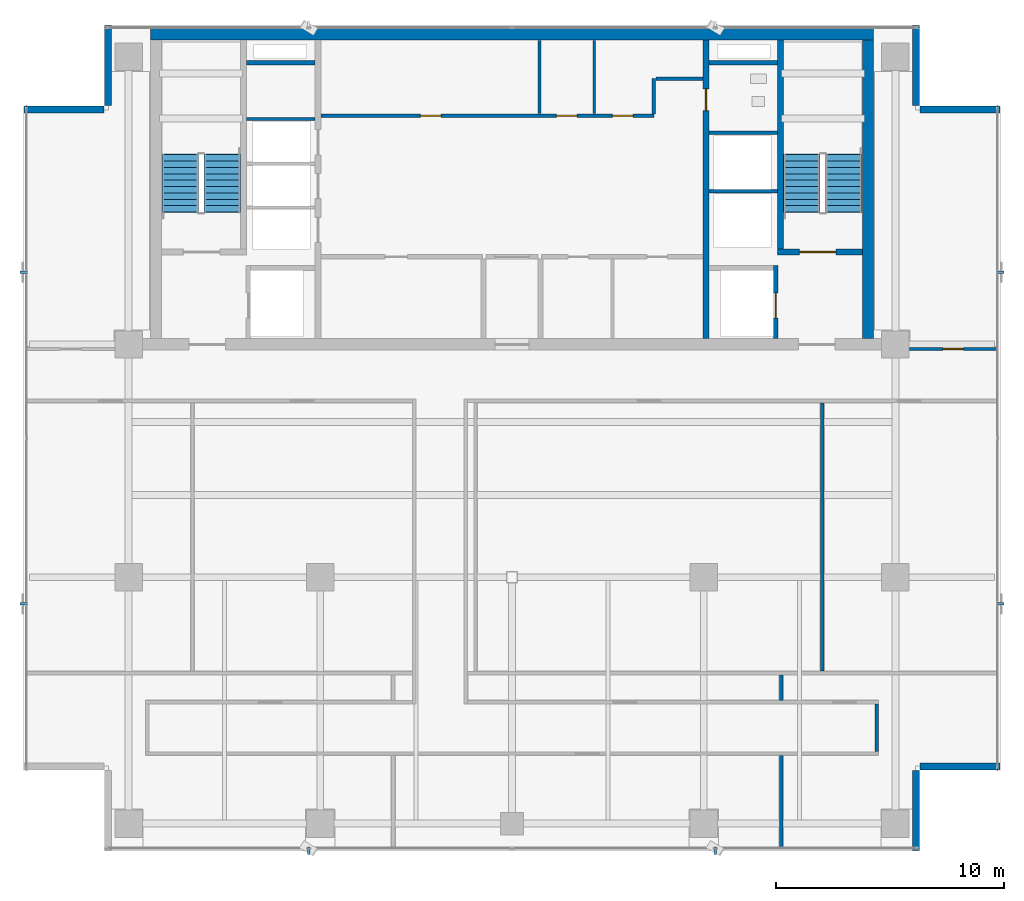
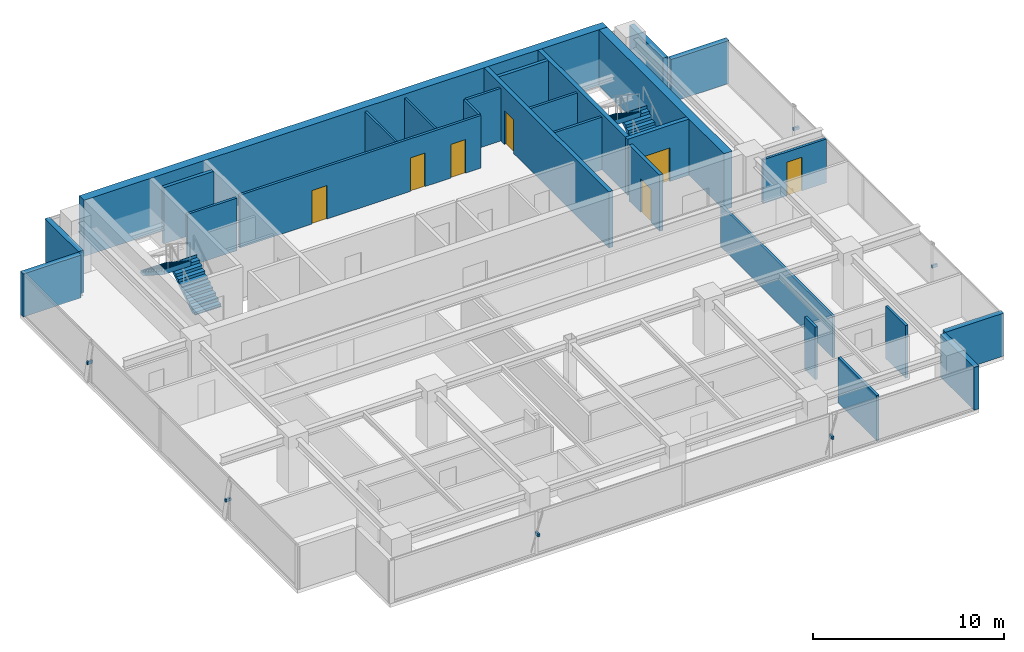
# One storey, part 16 of 22: 27 walls, 7 doors, 6 discrete accessories, 4 stair flights, 7 openings, 2 elements without a shape of their own.
"""IFC4 building model written with IfcOpenShell, lengths in metres."""

from ifc_helpers import new_model, si_unit, direction, frame, frame_2d, origin, origin_2d, place, context, subcontext, project, spatial, polyline, rectangle, outline, extrude, source, transform, mapped, material, layer, layer_set, material_profile, profile_set, type_object, element, fill, aggregate, save


model = new_model("IFC4")

# Units and contexts
model_context = context("Model", 3, precision=1e-05, world=origin(), true_north=direction((0.0, 1.0)))
body_context = subcontext(model_context, "Body", "Model", "MODEL_VIEW")
ifc_project = project(units=[si_unit("LENGTHUNIT", "METRE"), si_unit("AREAUNIT", "SQUARE_METRE"), si_unit("VOLUMEUNIT", "CUBIC_METRE"), si_unit("PLANEANGLEUNIT", "RADIAN"), si_unit("MASSUNIT", "GRAM", prefix="KILO")], contexts=[model_context])

# Site, building, storey
site_placement = place(None, origin())
site = spatial("IfcSite", under=ifc_project, at=site_placement, CompositionType="ELEMENT")
building_placement = place(site_placement, origin())
building = spatial("IfcBuilding", under=site, at=building_placement, Name="Sumidabori Civic Tower", CompositionType="ELEMENT")
storey_placement = place(building_placement, frame((0.0, 0.0, 279.199951171875)))
storey = spatial("IfcBuildingStorey", under=building, at=storey_placement, Name="L73", CompositionType="ELEMENT", Elevation=279.199951171875)

# Walls
ifc_material_1 = material(Name="Concrete C50/60", Category="concrete")
ifc_layer_1 = layer(ifc_material_1, 0.199951171875, Name="Concrete C50/60")
ifc_layer_set_1 = layer_set([ifc_layer_1], Name="Concrete C50/60")
wall_type_1 = type_object("IfcWallType", Name="WL-SHAFT-200", PredefinedType="SHEAR", material=ifc_layer_set_1)
shared_shape_1 = source(origin(), body_context, "Body", "SweptSolid", [
    extrude(rectangle(XDim=3.02001953125, YDim=0.199951171875, at=frame_2d((1.510009765625, 0.0))), origin(), (0.0, 0.0, 1.0), 3.60009765625),
])
for number, where, z_axis, x_axis, name in (
    (1, (-11.64501953125, 22.550048828125, 0.0), (0.0, 0.0, 1.0), (1.0, 0.0, 0.0), "Core Shear Wall L73 RIS1-S"),
    (2, (8.625, 22.550048828125, 0.0), (0.0, 0.0, 1.0), (1.0, 0.0, 0.0), "Core Shear Wall L73 RIS2-S"),
):
    element("IfcWall", number, at=place(storey_placement, frame(where, z_axis=z_axis, x_axis=x_axis)), inside=storey, type_object=wall_type_1, Name=name, PredefinedType="SHEAR", context=body_context, shape_type="MappedRepresentation", body=[
        mapped(shared_shape_1, transform((0.0, 0.0, 0.0), x_axis=(1.0, 0.0, 0.0), y_axis=(0.0, 1.0, 0.0), z_axis=(0.0, 0.0, 1.0), scale=1.0)),
    ])
ifc_layer_2 = layer(ifc_material_1, 0.5, Name="Concrete C50/60")
ifc_layer_set_2 = layer_set([ifc_layer_2], Name="Concrete C50/60")
wall_type_2 = type_object("IfcWallType", Name="WL-CORE-500", PredefinedType="SHEAR", material=ifc_layer_set_2)
shared_shape_2 = source(origin(), body_context, "Body", "SweptSolid", [
    extrude(rectangle(XDim=31.7001953125, YDim=0.5, at=frame_2d((15.85009765625, 0.0))), origin(), (0.0, 0.0, 1.0), 3.60009765625),
])
wall_1_placement = place(storey_placement, frame((-15.85009765625, 23.800048828125, 0.0), z_axis=(0.0, 0.0, 1.0), x_axis=(1.0, 0.0, 0.0)))
element("IfcWall", 3, at=wall_1_placement, inside=storey, type_object=wall_type_2, Name="Core Shear Wall L73 N", PredefinedType="SHEAR", context=body_context, shape_type="MappedRepresentation", body=[
    mapped(shared_shape_2, transform((0.0, 0.0, 0.0), x_axis=(1.0, 0.0, 0.0), y_axis=(0.0, 1.0, 0.0), z_axis=(0.0, 0.0, 1.0), scale=1.0)),
])
shared_shape_3 = source(origin(), body_context, "Body", "SweptSolid", [
    extrude(rectangle(XDim=13.10009765625, YDim=0.5, at=frame_2d((6.550048828125, 0.0))), origin(), (0.0, 0.0, 1.0), 3.60009765625),
])
wall_2_placement = place(storey_placement, frame((15.60009765625, 10.449951171875, 0.0), z_axis=(0.0, 0.0, 1.0), x_axis=(0.0, 1.0, 0.0)))
element("IfcWall", 4, at=wall_2_placement, inside=storey, type_object=wall_type_2, Name="Core Shear Wall L73 E", PredefinedType="SHEAR", context=body_context, shape_type="MappedRepresentation", body=[
    mapped(shared_shape_3, transform((0.0, 0.0, 0.0), x_axis=(1.0, 0.0, 0.0), y_axis=(0.0, 1.0, 0.0), z_axis=(0.0, 0.0, 1.0), scale=1.0)),
])

# Wall, opening, door
ifc_layer_3 = layer(ifc_material_1, 0.25, Name="Concrete C50/60")
ifc_layer_set_3 = layer_set([ifc_layer_3], Name="Concrete C50/60")
wall_type_3 = type_object("IfcWallType", Name="WL-SHAFT-250", PredefinedType="SHEAR", material=ifc_layer_set_3)
shared_shape_4 = source(origin(), body_context, "Body", "SweptSolid", [
    extrude(rectangle(XDim=13.10009765625, YDim=0.25, at=frame_2d((6.550048828125, 0.0))), origin(), (0.0, 0.0, 1.0), 3.60009765625),
])
wall_3_placement = place(storey_placement, frame((8.5, 10.449951171875, 0.0), z_axis=(0.0, 0.0, 1.0), x_axis=(0.0, 1.0, 0.0)))
wall_3 = element("IfcWall", 5, at=wall_3_placement, inside=storey, type_object=wall_type_3, Name="Core Shear Wall L73 WEB-E", PredefinedType="SHEAR", context=body_context, shape_type="MappedRepresentation", body=[
    mapped(shared_shape_4, transform((0.0, 0.0, 0.0), x_axis=(1.0, 0.0, 0.0), y_axis=(0.0, 1.0, 0.0), z_axis=(0.0, 0.0, 1.0), scale=1.0)),
])
opening_1_placement = place(wall_3_placement, frame((10.0, 0.0, 0.0)))
opening_1 = element("IfcOpeningElement", 6, at=opening_1_placement, cuts=wall_3, Name="Opening DR-2", PredefinedType="OPENING", context=body_context, shape_type="SweptSolid", body=[
    extrude(rectangle(XDim=0.949951171875, YDim=2.14990234375, at=frame_2d((0.47509765625, 1.074951171875))), frame((0.0, 0.136962890625, 0.0), z_axis=(0.0, -1.0, 0.0), x_axis=(1.0, 0.0, 0.0)), (0.0, 0.0, 1.0), 0.27392578125),
])
ifc_material_2 = material(Name="Japanese Hinoki Timber", Category="wood")
door_type_1 = type_object("IfcDoorType", Name="DR-INT-950", OperationType="NOTDEFINED", PredefinedType="DOOR", material=ifc_material_2)
shared_shape_5 = source(origin(), body_context, "Body", "SweptSolid", [
    extrude(rectangle(XDim=0.949951171875, YDim=2.14990234375, at=frame_2d((0.47509765625, 1.074951171875))), frame((0.0, 0.02490234375, 0.0), z_axis=(0.0, -1.0, 0.0), x_axis=(1.0, 0.0, 0.0)), (0.0, 0.0, 1.0), 0.050048828125),
])
door_1_placement = place(opening_1_placement, origin())
door_1 = element("IfcDoor", 7, at=door_1_placement, inside=storey, type_object=door_type_1, Name="Door DR:L73:WC-ACC", OperationType="SINGLE_SWING_RIGHT", OverallHeight=2.14990234375, OverallWidth=0.949951171875, PredefinedType="DOOR", context=body_context, shape_type="MappedRepresentation", body=[
    mapped(shared_shape_5, transform((0.0, 0.0, 0.0), x_axis=(1.0, 0.0, 0.0), y_axis=(0.0, 1.0, 0.0), z_axis=(0.0, 0.0, 1.0), scale=1.0)),
])
fill(opening_1, door_1)

shared_shape_6 = source(origin(), body_context, "Body", "SweptSolid", [
    extrude(rectangle(XDim=3.705078125, YDim=0.25, at=frame_2d((1.8525390625, 0.0))), origin(), (0.0, 0.0, 1.0), 3.60009765625),
])
wall_4_placement = place(storey_placement, frame((11.64501953125, 14.25, 0.0), z_axis=(0.0, 0.0, 1.0), x_axis=(1.0, 0.0, 0.0)))
wall_4 = element("IfcWall", 8, at=wall_4_placement, inside=storey, type_object=wall_type_3, Name="Core Shear Wall L73 ST2-S", PredefinedType="SHEAR", context=body_context, shape_type="MappedRepresentation", body=[
    mapped(shared_shape_6, transform((0.0, 0.0, 0.0), x_axis=(1.0, 0.0, 0.0), y_axis=(0.0, 1.0, 0.0), z_axis=(0.0, 0.0, 1.0), scale=1.0)),
])
opening_2_placement = place(wall_4_placement, frame((0.949951171875, 0.0, 0.0)))
opening_2 = element("IfcOpeningElement", 9, at=opening_2_placement, cuts=wall_4, Name="Opening DR-FD4", PredefinedType="OPENING", context=body_context, shape_type="SweptSolid", body=[
    extrude(rectangle(XDim=1.60009765625, YDim=2.14990234375, at=frame_2d((0.800048828125, 1.074951171875))), frame((0.0, 0.136962890625, 0.0), z_axis=(0.0, -1.0, 0.0), x_axis=(1.0, 0.0, 0.0)), (0.0, 0.0, 1.0), 0.27392578125),
])
ifc_material_3 = material(Name="Steel SN490", Category="steel")
door_type_2 = type_object("IfcDoorType", Name="DR-FD4", OperationType="DOUBLE_DOOR_SINGLE_SWING", PredefinedType="DOOR", material=ifc_material_3)
shared_shape_7 = source(origin(), body_context, "Body", "SweptSolid", [
    extrude(rectangle(XDim=1.60009765625, YDim=2.14990234375, at=frame_2d((0.800048828125, 1.074951171875))), frame((0.0, 0.02490234375, 0.0), z_axis=(0.0, -1.0, 0.0), x_axis=(1.0, 0.0, 0.0)), (0.0, 0.0, 1.0), 0.050048828125),
])
door_2_placement = place(opening_2_placement, origin())
door_2 = element("IfcDoor", 10, at=door_2_placement, inside=storey, type_object=door_type_2, Name="Door DR:L73:ST2", OperationType="DOUBLE_DOOR_SINGLE_SWING", OverallHeight=2.14990234375, OverallWidth=1.60009765625, PredefinedType="DOOR", context=body_context, shape_type="MappedRepresentation", body=[
    mapped(shared_shape_7, transform((0.0, 0.0, 0.0), x_axis=(1.0, 0.0, 0.0), y_axis=(0.0, 1.0, 0.0), z_axis=(0.0, 0.0, 1.0), scale=1.0)),
])
fill(opening_2, door_2)

# Wall
shared_shape_8 = source(origin(), body_context, "Body", "SweptSolid", [
    extrude(rectangle(XDim=9.175048828125, YDim=0.25, at=frame_2d((4.58740234375, 0.0))), origin(), (0.0, 0.0, 1.0), 3.60009765625),
])
wall_5_placement = place(storey_placement, frame((11.77001953125, 14.375, 0.0), z_axis=(0.0, 0.0, 1.0), x_axis=(0.0, 1.0, 0.0)))
element("IfcWall", 11, at=wall_5_placement, inside=storey, type_object=wall_type_3, Name="Core Shear Wall L73 ST2-W", PredefinedType="SHEAR", context=body_context, shape_type="MappedRepresentation", body=[
    mapped(shared_shape_8, transform((0.0, 0.0, 0.0), x_axis=(1.0, 0.0, 0.0), y_axis=(0.0, 1.0, 0.0), z_axis=(0.0, 0.0, 1.0), scale=1.0)),
])

# Wall, opening, door
shared_shape_9 = source(origin(), body_context, "Body", "SweptSolid", [
    extrude(rectangle(XDim=3.199951171875, YDim=0.199951171875, at=frame_2d((1.60009765625, 0.0))), origin(), (0.0, 0.0, 1.0), 3.60009765625),
])
wall_6_placement = place(storey_placement, frame((11.550048828125, 10.449951171875, 0.0), z_axis=(0.0, 0.0, 1.0), x_axis=(0.0, 1.0, 0.0)))
wall_6 = element("IfcWall", 12, at=wall_6_placement, inside=storey, type_object=wall_type_1, Name="Core Shear Wall L73 EL2-E", PredefinedType="SHEAR", context=body_context, shape_type="MappedRepresentation", body=[
    mapped(shared_shape_9, transform((0.0, 0.0, 0.0), x_axis=(1.0, 0.0, 0.0), y_axis=(0.0, 1.0, 0.0), z_axis=(0.0, 0.0, 1.0), scale=1.0)),
])
opening_3_placement = place(wall_6_placement, frame((0.89990234375, 0.0, 0.0)))
opening_3 = element("IfcOpeningElement", 13, at=opening_3_placement, cuts=wall_6, Name="Opening LD-2", PredefinedType="OPENING", context=body_context, shape_type="SweptSolid", body=[
    extrude(rectangle(XDim=1.10009765625, YDim=2.14990234375, at=frame_2d((0.550048828125, 1.074951171875))), frame((0.0, 0.11181640625, 0.0), z_axis=(0.0, -1.0, 0.0), x_axis=(1.0, 0.0, 0.0)), (0.0, 0.0, 1.0), 0.223876953125),
])
ifc_material_4 = material(Name="Stainless Steel Hairline Finish", Category="steel")
door_type_3 = type_object("IfcDoorType", Name="DR-LD2", OperationType="DOUBLE_DOOR_SLIDING", PredefinedType="DOOR", material=ifc_material_4)
shared_shape_10 = source(origin(), body_context, "Body", "SweptSolid", [
    extrude(rectangle(XDim=1.10009765625, YDim=2.14990234375, at=frame_2d((0.550048828125, 1.074951171875))), frame((0.0, 0.02490234375, 0.0), z_axis=(0.0, -1.0, 0.0), x_axis=(1.0, 0.0, 0.0)), (0.0, 0.0, 1.0), 0.050048828125),
])
door_3_placement = place(opening_3_placement, origin())
door_3 = element("IfcDoor", 14, at=door_3_placement, inside=storey, type_object=door_type_3, Name="Door DR:L73:LD-EL2", OperationType="DOUBLE_DOOR_SLIDING", OverallHeight=2.14990234375, OverallWidth=1.10009765625, PredefinedType="DOOR", context=body_context, shape_type="MappedRepresentation", body=[
    mapped(shared_shape_10, transform((0.0, 0.0, 0.0), x_axis=(1.0, 0.0, 0.0), y_axis=(0.0, 1.0, 0.0), z_axis=(0.0, 0.0, 1.0), scale=1.0)),
])
fill(opening_3, door_3)

# Walls
ifc_material_5 = material(Name="Precast concrete C40/50", Category="concrete")
ifc_layer_4 = layer(ifc_material_5, 0.300048828125, Name="Precast concrete C40/50")
ifc_layer_set_4 = layer_set([ifc_layer_4], Name="Precast concrete C40/50")
wall_type_4 = type_object("IfcWallType", Name="WL-EXT-POD300", PredefinedType="STANDARD", material=ifc_layer_set_4)
shared_shape_11 = source(origin(), body_context, "Body", "SweptSolid", [
    extrude(rectangle(XDim=3.510009765625, YDim=0.300048828125, at=frame_2d((1.7548828125, 0.0))), origin(), (0.0, 0.0, 1.0), 2.75),
])
for number, where, z_axis, x_axis, name in (
    (15, (17.699951171875, -11.97998046875, 0.0), (0.0, 0.0, 1.0), (0.0, 1.0, 0.0), "Notched Corner Spandrel Band L73-02"),
    (16, (17.699951171875, 20.669921875, 0.0), (0.0, 0.0, 1.0), (0.0, 1.0, 0.0), "Notched Corner Spandrel Band L73-06"),
    (17, (-17.699951171875, 24.179931640625, 0.0), (0.0, 0.0, 1.0), (0.0, -1.0, 0.0), "Notched Corner Spandrel Band L73-08"),
):
    element("IfcWall", number, at=place(storey_placement, frame(where, z_axis=z_axis, x_axis=x_axis)), inside=storey, type_object=wall_type_4, Name=name, PredefinedType="STANDARD", context=body_context, shape_type="MappedRepresentation", body=[
        mapped(shared_shape_11, transform((0.0, 0.0, 0.0), x_axis=(1.0, 0.0, 0.0), y_axis=(0.0, 1.0, 0.0), z_axis=(0.0, 0.0, 1.0), scale=1.0)),
    ])
shared_shape_12 = source(origin(), body_context, "Body", "SweptSolid", [
    extrude(rectangle(XDim=3.509765625, YDim=0.300048828125, at=frame_2d((1.7548828125, 0.0))), origin(), (0.0, 0.0, 1.0), 2.75),
])
for number, where, z_axis, x_axis, name in (
    (18, (17.8701171875, -8.300048828125, 0.0), (0.0, 0.0, 1.0), (1.0, 0.0, 0.0), "Notched Corner Spandrel Band L73-03"),
    (19, (21.3798828125, 20.5, 0.0), (0.0, 0.0, 1.0), (-1.0, 0.0, 0.0), "Notched Corner Spandrel Band L73-05"),
    (20, (-17.8701171875, 20.5, 0.0), (0.0, 0.0, 1.0), (-1.0, 0.0, 0.0), "Notched Corner Spandrel Band L73-09"),
):
    element("IfcWall", number, at=place(storey_placement, frame(where, z_axis=z_axis, x_axis=x_axis)), inside=storey, type_object=wall_type_4, Name=name, PredefinedType="STANDARD", context=body_context, shape_type="MappedRepresentation", body=[
        mapped(shared_shape_12, transform((0.0, 0.0, 0.0), x_axis=(1.0, 0.0, 0.0), y_axis=(0.0, 1.0, 0.0), z_axis=(0.0, 0.0, 1.0), scale=1.0)),
    ])
ifc_material_6 = material(Name="Gypsum Plasterboard Acoustic Partition")
ifc_layer_5 = layer(ifc_material_6, 0.14990234375, Name="Gypsum Plasterboard Acoustic Partition")
ifc_layer_set_5 = layer_set([ifc_layer_5], Name="Gypsum Plasterboard Acoustic Partition")
wall_type_5 = type_object("IfcWallType", Name="WL-PART-150", PredefinedType="PARTITIONING", material=ifc_layer_set_5)
shared_shape_13 = source(origin(), body_context, "Body", "SweptSolid", [
    extrude(rectangle(XDim=3.010009765625, YDim=0.14990234375, at=frame_2d((1.5048828125, 0.0))), origin(), (0.0, 0.0, 1.0), 3.3701171875),
])
for number, where, z_axis, x_axis, name in (
    (21, (-11.639892578125, 20.080078125, 0.0), (0.0, 0.0, 1.0), (1.0, 0.0, 0.0), "Interior Partition WL:L73:DIV-PLH3"),
    (22, (8.6298828125, 16.919921875, 0.0), (0.0, 0.0, 1.0), (1.0, 0.0, 0.0), "Interior Partition WL:L73:DIV-OBS1"),
    (23, (8.6298828125, 19.469970703125, 0.0), (0.0, 0.0, 1.0), (1.0, 0.0, 0.0), "Interior Partition WL:L73:DIV-OBS2"),
):
    element("IfcWall", number, at=place(storey_placement, frame(where, z_axis=z_axis, x_axis=x_axis)), inside=storey, type_object=wall_type_5, Name=name, PredefinedType="PARTITIONING", context=body_context, shape_type="MappedRepresentation", body=[
        mapped(shared_shape_13, transform((0.0, 0.0, 0.0), x_axis=(1.0, 0.0, 0.0), y_axis=(0.0, 1.0, 0.0), z_axis=(0.0, 0.0, 1.0), scale=1.0)),
    ])

# Wall, openings, doors
shared_shape_14 = source(origin(), body_context, "Body", "SweptSolid", [
    extrude(rectangle(XDim=14.590087890625, YDim=0.14990234375, at=frame_2d((7.294921875, 0.0))), origin(), (0.0, 0.0, 1.0), 3.3701171875),
])
wall_7_placement = place(storey_placement, frame((-8.3701171875, 20.219970703125, 0.0), z_axis=(0.0, 0.0, 1.0), x_axis=(1.0, 0.0, 0.0)))
wall_7 = element("IfcWall", 24, at=wall_7_placement, inside=storey, type_object=wall_type_5, Name="Interior Partition WL:L73:CBAND-M", PredefinedType="PARTITIONING", context=body_context, shape_type="MappedRepresentation", body=[
    mapped(shared_shape_14, transform((0.0, 0.0, 0.0), x_axis=(1.0, 0.0, 0.0), y_axis=(0.0, 1.0, 0.0), z_axis=(0.0, 0.0, 1.0), scale=1.0)),
])
opening_4_placement = place(wall_7_placement, frame((4.360107421875, 0.0, 0.0)))
opening_4 = element("IfcOpeningElement", 25, at=opening_4_placement, cuts=wall_7, Name="Opening DR-1", PredefinedType="OPENING", context=body_context, shape_type="SweptSolid", body=[
    extrude(rectangle(XDim=0.89990234375, YDim=2.14990234375, at=frame_2d((0.449951171875, 1.074951171875))), frame((0.0, 0.0869140625, 0.0), z_axis=(0.0, -1.0, 0.0), x_axis=(1.0, 0.0, 0.0)), (0.0, 0.0, 1.0), 0.173828125),
])
opening_5_placement = place(wall_7_placement, frame((10.320068359375, 0.0, 0.0)))
opening_5 = element("IfcOpeningElement", 26, at=opening_5_placement, cuts=wall_7, Name="Opening DR-1", PredefinedType="OPENING", context=body_context, shape_type="SweptSolid", body=[
    extrude(rectangle(XDim=0.89990234375, YDim=2.14990234375, at=frame_2d((0.449951171875, 1.074951171875))), frame((0.0, 0.0869140625, 0.0), z_axis=(0.0, -1.0, 0.0), x_axis=(1.0, 0.0, 0.0)), (0.0, 0.0, 1.0), 0.173828125),
])
opening_6_placement = place(wall_7_placement, frame((12.77001953125, 0.0, 0.0)))
opening_6 = element("IfcOpeningElement", 27, at=opening_6_placement, cuts=wall_7, Name="Opening DR-1", PredefinedType="OPENING", context=body_context, shape_type="SweptSolid", body=[
    extrude(rectangle(XDim=0.89990234375, YDim=2.14990234375, at=frame_2d((0.449951171875, 1.074951171875))), frame((0.0, 0.0869140625, 0.0), z_axis=(0.0, -1.0, 0.0), x_axis=(1.0, 0.0, 0.0)), (0.0, 0.0, 1.0), 0.173828125),
])
door_type_4 = type_object("IfcDoorType", Name="DR-INT-900", OperationType="NOTDEFINED", PredefinedType="DOOR", material=ifc_material_2)
shared_shape_15 = source(origin(), body_context, "Body", "SweptSolid", [
    extrude(rectangle(XDim=0.89990234375, YDim=2.14990234375, at=frame_2d((0.449951171875, 1.074951171875))), frame((0.0, 0.02490234375, 0.0), z_axis=(0.0, -1.0, 0.0), x_axis=(1.0, 0.0, 0.0)), (0.0, 0.0, 1.0), 0.050048828125),
])
door_4_placement = place(opening_4_placement, origin())
door_4 = element("IfcDoor", 28, at=door_4_placement, inside=storey, type_object=door_type_4, Name="Door DR:L73:CB-1", OperationType="SINGLE_SWING_LEFT", OverallHeight=2.14990234375, OverallWidth=0.89990234375, PredefinedType="DOOR", context=body_context, shape_type="MappedRepresentation", body=[
    mapped(shared_shape_15, transform((0.0, 0.0, 0.0), x_axis=(1.0, 0.0, 0.0), y_axis=(0.0, 1.0, 0.0), z_axis=(0.0, 0.0, 1.0), scale=1.0)),
])
fill(opening_4, door_4)
door_5_placement = place(opening_5_placement, origin())
door_5 = element("IfcDoor", 29, at=door_5_placement, inside=storey, type_object=door_type_4, Name="Door DR:L73:CB-2", OperationType="SINGLE_SWING_RIGHT", OverallHeight=2.14990234375, OverallWidth=0.89990234375, PredefinedType="DOOR", context=body_context, shape_type="MappedRepresentation", body=[
    mapped(shared_shape_15, transform((0.0, 0.0, 0.0), x_axis=(1.0, 0.0, 0.0), y_axis=(0.0, 1.0, 0.0), z_axis=(0.0, 0.0, 1.0), scale=1.0)),
])
fill(opening_5, door_5)
door_6_placement = place(opening_6_placement, origin())
door_6 = element("IfcDoor", 30, at=door_6_placement, inside=storey, type_object=door_type_4, Name="Door DR:L73:CB-3", OperationType="SINGLE_SWING_LEFT", OverallHeight=2.14990234375, OverallWidth=0.89990234375, PredefinedType="DOOR", context=body_context, shape_type="MappedRepresentation", body=[
    mapped(shared_shape_15, transform((0.0, 0.0, 0.0), x_axis=(1.0, 0.0, 0.0), y_axis=(0.0, 1.0, 0.0), z_axis=(0.0, 0.0, 1.0), scale=1.0)),
])
fill(opening_6, door_6)

# Walls
shared_shape_16 = source(origin(), body_context, "Body", "SweptSolid", [
    extrude(rectangle(XDim=1.550048828125, YDim=0.14990234375, at=frame_2d((0.77490234375, 0.0))), origin(), (0.0, 0.0, 1.0), 3.3701171875),
])
wall_8_placement = place(storey_placement, frame((6.219970703125, 20.300048828125, 0.0), z_axis=(0.0, 0.0, 1.0), x_axis=(0.0, 1.0, 0.0)))
element("IfcWall", 31, at=wall_8_placement, inside=storey, type_object=wall_type_5, Name="Interior Partition WL:L73:CBAND-ME1", PredefinedType="PARTITIONING", context=body_context, shape_type="MappedRepresentation", body=[
    mapped(shared_shape_16, transform((0.0, 0.0, 0.0), x_axis=(1.0, 0.0, 0.0), y_axis=(0.0, 1.0, 0.0), z_axis=(0.0, 0.0, 1.0), scale=1.0)),
])
shared_shape_17 = source(origin(), body_context, "Body", "SweptSolid", [
    extrude(rectangle(XDim=2.070068359375, YDim=0.14990234375, at=frame_2d((1.03515625, 0.0))), origin(), (0.0, 0.0, 1.0), 3.3701171875),
])
wall_9_placement = place(storey_placement, frame((6.300048828125, 21.85009765625, 0.0), z_axis=(0.0, 0.0, 1.0), x_axis=(1.0, 0.0, 0.0)))
element("IfcWall", 32, at=wall_9_placement, inside=storey, type_object=wall_type_5, Name="Interior Partition WL:L73:CBAND-ME2", PredefinedType="PARTITIONING", context=body_context, shape_type="MappedRepresentation", body=[
    mapped(shared_shape_17, transform((0.0, 0.0, 0.0), x_axis=(1.0, 0.0, 0.0), y_axis=(0.0, 1.0, 0.0), z_axis=(0.0, 0.0, 1.0), scale=1.0)),
])
ifc_layer_6 = layer(ifc_material_6, 0.1201171875, Name="Gypsum Plasterboard Acoustic Partition")
ifc_layer_set_6 = layer_set([ifc_layer_6], Name="Gypsum Plasterboard Acoustic Partition")
wall_type_6 = type_object("IfcWallType", Name="WL-PART-120", PredefinedType="PARTITIONING", material=ifc_layer_set_6)
shared_shape_18 = source(origin(), body_context, "Body", "SweptSolid", [
    extrude(rectangle(XDim=3.18994140625, YDim=0.1201171875, at=frame_2d((1.594970703125, 0.0))), origin(), (0.0, 0.0, 1.0), 3.3701171875),
])
for number, where, z_axis, x_axis, name in (
    (33, (1.199951171875, 20.320068359375, 0.0), (0.0, 0.0, 1.0), (0.0, 1.0, 0.0), "Interior Partition WL:L73:LV8-S1"),
    (34, (3.60009765625, 20.320068359375, 0.0), (0.0, 0.0, 1.0), (0.0, 1.0, 0.0), "Interior Partition WL:L73:LV8-S2"),
):
    element("IfcWall", number, at=place(storey_placement, frame(where, z_axis=z_axis, x_axis=x_axis)), inside=storey, type_object=wall_type_6, Name=name, PredefinedType="PARTITIONING", context=body_context, shape_type="MappedRepresentation", body=[
        mapped(shared_shape_18, transform((0.0, 0.0, 0.0), x_axis=(1.0, 0.0, 0.0), y_axis=(0.0, 1.0, 0.0), z_axis=(0.0, 0.0, 1.0), scale=1.0)),
    ])

# Wall, opening, door
shared_shape_19 = source(origin(), body_context, "Body", "SweptSolid", [
    extrude(rectangle(XDim=3.840087890625, YDim=0.14990234375, at=frame_2d((1.919921875, 0.0))), origin(), (0.0, 0.0, 1.0), 2.804931640625),
])
wall_10_placement = place(storey_placement, frame((17.409912109375, 10.0, 0.0), z_axis=(0.0, 0.0, 1.0), x_axis=(1.0, 0.0, 0.0)))
wall_10 = element("IfcWall", 35, at=wall_10_placement, inside=storey, type_object=wall_type_5, Name="Interior Partition WL:L73:FLK-NE", PredefinedType="PARTITIONING", context=body_context, shape_type="MappedRepresentation", body=[
    mapped(shared_shape_19, transform((0.0, 0.0, 0.0), x_axis=(1.0, 0.0, 0.0), y_axis=(0.0, 1.0, 0.0), z_axis=(0.0, 0.0, 1.0), scale=1.0)),
])
opening_7_placement = place(wall_10_placement, frame((1.469970703125, 0.0, 0.0)))
opening_7 = element("IfcOpeningElement", 36, at=opening_7_placement, cuts=wall_10, Name="Opening DR-1", PredefinedType="OPENING", context=body_context, shape_type="SweptSolid", body=[
    extrude(rectangle(XDim=0.89990234375, YDim=2.14990234375, at=frame_2d((0.449951171875, 1.074951171875))), frame((0.0, 0.0869140625, 0.0), z_axis=(0.0, -1.0, 0.0), x_axis=(1.0, 0.0, 0.0)), (0.0, 0.0, 1.0), 0.173828125),
])
door_7_placement = place(opening_7_placement, origin())
door_7 = element("IfcDoor", 37, at=door_7_placement, inside=storey, type_object=door_type_4, Name="Door DR:L73:FLK-NE", OperationType="SINGLE_SWING_RIGHT", OverallHeight=2.14990234375, OverallWidth=0.89990234375, PredefinedType="DOOR", context=body_context, shape_type="MappedRepresentation", body=[
    mapped(shared_shape_15, transform((0.0, 0.0, 0.0), x_axis=(1.0, 0.0, 0.0), y_axis=(0.0, 1.0, 0.0), z_axis=(0.0, 0.0, 1.0), scale=1.0)),
])
fill(opening_7, door_7)

# Walls
shared_shape_20 = source(origin(), body_context, "Body", "SweptSolid", [
    extrude(rectangle(XDim=2.090087890625, YDim=0.14990234375, at=frame_2d((1.044921875, 0.0))), origin(), (0.0, 0.0, 1.0), 3.3701171875),
])
wall_11_placement = place(storey_placement, frame((15.97509765625, -7.64501953125, 0.0), z_axis=(0.0, 0.0, 1.0), x_axis=(0.0, 1.0, 0.0)))
element("IfcWall", 38, at=wall_11_placement, inside=storey, type_object=wall_type_5, Name="Interior Partition WL:L73:CORR-VSE", PredefinedType="PARTITIONING", context=body_context, shape_type="MappedRepresentation", body=[
    mapped(shared_shape_20, transform((0.0, 0.0, 0.0), x_axis=(1.0, 0.0, 0.0), y_axis=(0.0, 1.0, 0.0), z_axis=(0.0, 0.0, 1.0), scale=1.0)),
])
shared_shape_21 = source(origin(), body_context, "Body", "SweptSolid", [
    extrude(rectangle(XDim=11.76513671875, YDim=0.14990234375, at=frame_2d((5.882568359375, 0.0))), origin(), (0.0, 0.0, 1.0), 2.655029296875),
])
wall_12_placement = place(storey_placement, frame((13.60009765625, -4.1201171875, 0.0), z_axis=(0.0, 0.0, 1.0), x_axis=(0.0, 1.0, 0.0)))
element("IfcWall", 39, at=wall_12_placement, inside=storey, type_object=wall_type_5, Name="Interior Partition WL:L73:VX-N3", PredefinedType="PARTITIONING", context=body_context, shape_type="MappedRepresentation", body=[
    mapped(shared_shape_21, transform((0.0, 0.0, 0.0), x_axis=(1.0, 0.0, 0.0), y_axis=(0.0, 1.0, 0.0), z_axis=(0.0, 0.0, 1.0), scale=1.0)),
])
shared_shape_22 = source(origin(), body_context, "Body", "SweptSolid", [
    extrude(rectangle(XDim=4.045166015625, YDim=0.14990234375, at=frame_2d((2.0224609375, 0.0))), origin(), (0.0, 0.0, 1.0), 2.905029296875),
])
wall_13_placement = place(storey_placement, frame((11.800048828125, -11.85009765625, 0.0), z_axis=(0.0, 0.0, 1.0), x_axis=(0.0, 1.0, 0.0)))
element("IfcWall", 40, at=wall_13_placement, inside=storey, type_object=wall_type_5, Name="Interior Partition WL:L73:VX-S2-1", PredefinedType="PARTITIONING", context=body_context, shape_type="MappedRepresentation", body=[
    mapped(shared_shape_22, transform((0.0, 0.0, 0.0), x_axis=(1.0, 0.0, 0.0), y_axis=(0.0, 1.0, 0.0), z_axis=(0.0, 0.0, 1.0), scale=1.0)),
])
shared_shape_23 = source(origin(), body_context, "Body", "SweptSolid", [
    extrude(rectangle(XDim=1.114990234375, YDim=0.14990234375, at=frame_2d((0.5576171875, 0.0))), origin(), (0.0, 0.0, 1.0), 3.3701171875),
])
wall_14_placement = place(storey_placement, frame((11.800048828125, -5.39501953125, 0.0), z_axis=(0.0, 0.0, 1.0), x_axis=(0.0, 1.0, 0.0)))
element("IfcWall", 41, at=wall_14_placement, inside=storey, type_object=wall_type_5, Name="Interior Partition WL:L73:VX-S2-2", PredefinedType="PARTITIONING", context=body_context, shape_type="MappedRepresentation", body=[
    mapped(shared_shape_23, transform((0.0, 0.0, 0.0), x_axis=(1.0, 0.0, 0.0), y_axis=(0.0, 1.0, 0.0), z_axis=(0.0, 0.0, 1.0), scale=1.0)),
])

# Stair, stair flights
ifc_material_7 = material(Name="Concrete C40/50", Category="concrete")
stair_type = type_object("IfcStairType", Name="ST-CORE-1600", PredefinedType="HALF_TURN_STAIR", material=ifc_material_7)
stair_1_placement = place(storey_placement, origin())
stair_1 = element("IfcStair", 42, at=stair_1_placement, inside=storey, type_object=stair_type, Name="L73 ST-1", PredefinedType="HALF_TURN_STAIR")
stair_flight_type = type_object("IfcStairFlightType", Name="SF-CORE-1600", PredefinedType="STRAIGHT", material=ifc_material_7)
shared_shape_24 = source(origin(), body_context, "Body", "SweptSolid", [
    extrude(outline(polyline([(-0.02490234375, 0.0), (-0.02490234375, 0.0400390625), (0.0, 0.0400390625), (0.0, 0.179931640625), (0.280029296875, 0.179931640625), (0.280029296875, 0.360107421875), (0.56005859375, 0.360107421875), (0.56005859375, 0.5400390625), (0.840087890625, 0.5400390625), (0.840087890625, 0.719970703125), (1.1201171875, 0.719970703125), (1.1201171875, 0.89990234375), (1.39990234375, 0.89990234375), (1.39990234375, 1.080078125), (1.679931640625, 1.080078125), (1.679931640625, 1.260009765625), (1.9599609375, 1.260009765625), (1.9599609375, 1.43994140625), (2.239990234375, 1.43994140625), (2.239990234375, 1.6201171875), (2.52001953125, 1.6201171875), (2.52001953125, 1.800048828125), (2.544921875, 1.800048828125), (2.544921875, 1.650146484375), (2.52001953125, 1.44189453125), (0.277099609375, 0.0), (-0.02490234375, 0.0)])), frame((0.0, 0.800048828125, 0.0), z_axis=(0.0, -1.0, 0.0), x_axis=(1.0, 0.0, 0.0)), (0.0, 0.0, 1.0), 1.60009765625),
])
stair_flight_1_placement = place(storey_placement, frame((-12.699951171875, 16.0, 0.0), z_axis=(0.0, 0.0, 1.0), x_axis=(0.0, 1.0, 0.0)))
stair_flight_1 = element("IfcStairFlight", 43, at=stair_flight_1_placement, type_object=stair_flight_type, Name="ST-1 flight 1", NumberOfRisers=10, NumberOfTreads=9, PredefinedType="STRAIGHT", RiserHeight=0.18, TreadLength=0.28, context=body_context, shape_type="MappedRepresentation", body=[
    mapped(shared_shape_24, transform((0.0, 0.0, 0.0), x_axis=(1.0, 0.0, 0.0), y_axis=(0.0, 1.0, 0.0), z_axis=(0.0, 0.0, 1.0), scale=1.0)),
])
stair_flight_2_placement = place(storey_placement, frame((-14.5400390625, 18.52001953125, 1.800048828125), z_axis=(0.0, 0.0, 1.0), x_axis=(0.0, -1.0, 0.0)))
stair_flight_2 = element("IfcStairFlight", 44, at=stair_flight_2_placement, type_object=stair_flight_type, Name="ST-1 flight 2", NumberOfRisers=10, NumberOfTreads=9, PredefinedType="STRAIGHT", RiserHeight=0.18, TreadLength=0.28, context=body_context, shape_type="MappedRepresentation", body=[
    mapped(shared_shape_24, transform((0.0, 0.0, 0.0), x_axis=(1.0, 0.0, 0.0), y_axis=(0.0, 1.0, 0.0), z_axis=(0.0, 0.0, 1.0), scale=1.0)),
])
aggregate(stair_1, [stair_flight_1, stair_flight_2])

stair_2_placement = place(storey_placement, origin())
stair_2 = element("IfcStair", 45, at=stair_2_placement, inside=storey, type_object=stair_type, Name="L73 ST-2", PredefinedType="HALF_TURN_STAIR")
stair_flight_3_placement = place(storey_placement, frame((14.5400390625, 16.0, 0.0), z_axis=(0.0, 0.0, 1.0), x_axis=(0.0, 1.0, 0.0)))
stair_flight_3 = element("IfcStairFlight", 46, at=stair_flight_3_placement, type_object=stair_flight_type, Name="ST-2 flight 1", NumberOfRisers=10, NumberOfTreads=9, PredefinedType="STRAIGHT", RiserHeight=0.18, TreadLength=0.28, context=body_context, shape_type="MappedRepresentation", body=[
    mapped(shared_shape_24, transform((0.0, 0.0, 0.0), x_axis=(1.0, 0.0, 0.0), y_axis=(0.0, 1.0, 0.0), z_axis=(0.0, 0.0, 1.0), scale=1.0)),
])
stair_flight_4_placement = place(storey_placement, frame((12.699951171875, 18.52001953125, 1.800048828125), z_axis=(0.0, 0.0, 1.0), x_axis=(0.0, -1.0, 0.0)))
stair_flight_4 = element("IfcStairFlight", 47, at=stair_flight_4_placement, type_object=stair_flight_type, Name="ST-2 flight 2", NumberOfRisers=10, NumberOfTreads=9, PredefinedType="STRAIGHT", RiserHeight=0.18, TreadLength=0.28, context=body_context, shape_type="MappedRepresentation", body=[
    mapped(shared_shape_24, transform((0.0, 0.0, 0.0), x_axis=(1.0, 0.0, 0.0), y_axis=(0.0, 1.0, 0.0), z_axis=(0.0, 0.0, 1.0), scale=1.0)),
])
aggregate(stair_2, [stair_flight_3, stair_flight_4])

# Discrete accessories
ifc_material_profile = material_profile(ifc_material_4, rectangle(XDim=0.1201171875, YDim=0.179931640625, at=origin_2d()), Name="STEEL BRACKET 180x120")
ifc_profile_set = profile_set([ifc_material_profile], Name="Stainless Steel Hairline Finish")
discrete_accessory_type = type_object("IfcDiscreteAccessoryType", Name="AC-BRK-180", PredefinedType="BRACKET", material=ifc_profile_set)
shared_shape_25 = source(origin(), body_context, "Body", "SweptSolid", [
    extrude(rectangle(XDim=0.1201171875, YDim=0.179931640625, at=origin_2d()), origin(), (0.0, 0.0, 1.0), 0.329833984375),
])
for number, where, z_axis, x_axis, name in (
    (48, (-8.909912109375, -11.830078125, 1.364990234375), (0.0, -1.0, 0.0), (1.0, 0.0, 0.0), "Bronze Fin Fixing Bracket L73-01"),
    (49, (8.909912109375, -11.830078125, 1.364990234375), (0.0, -1.0, 0.0), (1.0, 0.0, 0.0), "Bronze Fin Fixing Bracket L73-03"),
):
    element("IfcDiscreteAccessory", number, at=place(storey_placement, frame(where, z_axis=z_axis, x_axis=x_axis)), inside=storey, type_object=discrete_accessory_type, Name=name, PredefinedType="BRACKET", context=body_context, shape_type="MappedRepresentation", body=[
        mapped(shared_shape_25, transform((0.0, 0.0, 0.0), x_axis=(1.0, 0.0, 0.0), y_axis=(0.0, 1.0, 0.0), z_axis=(0.0, 0.0, 1.0), scale=1.0)),
    ])
shared_shape_26 = source(origin(), body_context, "Body", "SweptSolid", [
    extrude(rectangle(XDim=0.1201171875, YDim=0.179931640625, at=origin_2d()), origin(), (0.0, 0.0, 1.0), 0.330078125),
])
for number, where, z_axis, x_axis, name in (
    (50, (21.22998046875, -1.159912109375, 1.364990234375), (1.0, 0.0, 0.0), (0.0, 1.0, 0.0), "Bronze Fin Fixing Bracket L73-01"),
    (51, (21.22998046875, 13.360107421875, 1.364990234375), (1.0, 0.0, 0.0), (0.0, 1.0, 0.0), "Bronze Fin Fixing Bracket L73-03"),
    (52, (-21.22998046875, 13.360107421875, 1.364990234375), (-1.0, 0.0, 0.0), (0.0, -1.0, 0.0), "Bronze Fin Fixing Bracket L73-01"),
    (53, (-21.22998046875, -1.159912109375, 1.364990234375), (-1.0, 0.0, 0.0), (0.0, -1.0, 0.0), "Bronze Fin Fixing Bracket L73-03"),
):
    element("IfcDiscreteAccessory", number, at=place(storey_placement, frame(where, z_axis=z_axis, x_axis=x_axis)), inside=storey, type_object=discrete_accessory_type, Name=name, PredefinedType="BRACKET", context=body_context, shape_type="MappedRepresentation", body=[
        mapped(shared_shape_26, transform((0.0, 0.0, 0.0), x_axis=(1.0, 0.0, 0.0), y_axis=(0.0, 1.0, 0.0), z_axis=(0.0, 0.0, 1.0), scale=1.0)),
    ])

save(model, "model.ifc")
